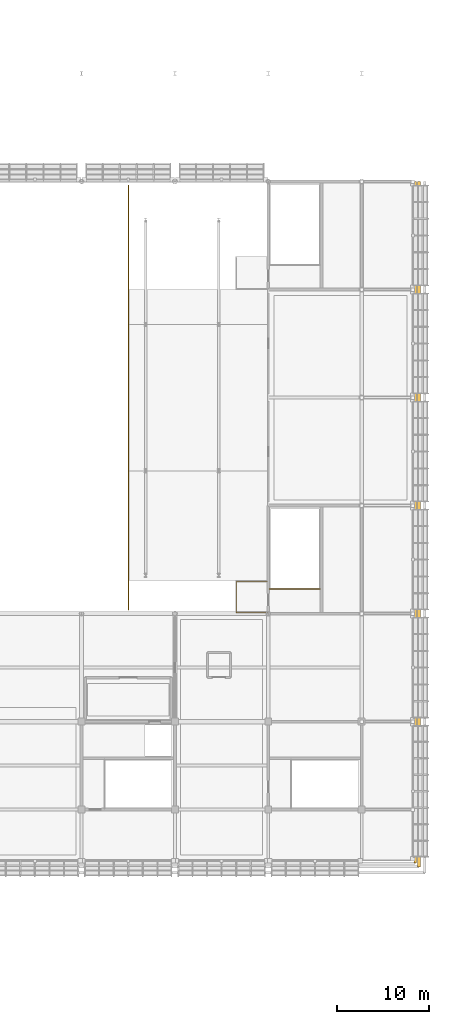
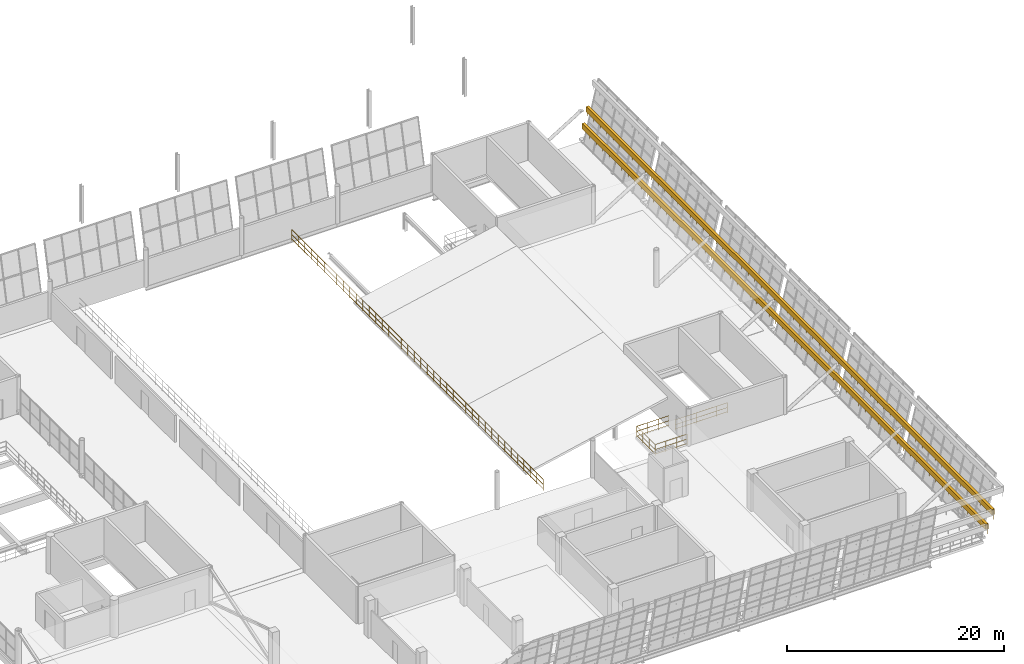
# One storey, part 154 of 157: 5 railings.
"""IFC4 building model written with IfcOpenShell, lengths in metres."""

from ifc_helpers import new_model, si_unit, direction, frame, origin, origin_2d, place, context, subcontext, project, spatial, rectangle, circle, extrude, material, type_object, element, save


model = new_model("IFC4")

# Units and contexts
model_context = context("Model", 3, precision=1e-05, world=origin(), true_north=direction((0.0, 1.0)))
body_context = subcontext(model_context, "Body", "Model", "MODEL_VIEW")
ifc_project = project(units=[si_unit("LENGTHUNIT", "METRE"), si_unit("AREAUNIT", "SQUARE_METRE"), si_unit("VOLUMEUNIT", "CUBIC_METRE"), si_unit("PLANEANGLEUNIT", "RADIAN"), si_unit("MASSUNIT", "GRAM", prefix="KILO")], contexts=[model_context])

# Site, building, storey
site_placement = place(None, origin())
site = spatial("IfcSite", under=ifc_project, at=site_placement, CompositionType="ELEMENT")
building_placement = place(site_placement, origin())
building = spatial("IfcBuilding", under=site, at=building_placement, Name="Brelvane Convention Centre", CompositionType="ELEMENT")
storey_placement = place(building_placement, frame((0.0, 0.0, 10.800048828125)))
storey = spatial("IfcBuildingStorey", under=building, at=storey_placement, Name="L02", CompositionType="ELEMENT", Elevation=10.800048828125)

# Railings
ifc_material_1 = material(Name="Steel E350 (350 MPa)", Category="steel")
railing_type_1 = type_object("IfcRailingType", Name="Railing BL-ATR-2", PredefinedType="BALUSTRADE", material=ifc_material_1)
railing_1_placement = place(storey_placement, frame((214.10009765625, 44.10009765625, 0.0)))
element("IfcRailing", 1, at=railing_1_placement, inside=storey, type_object=railing_type_1, Name="Railing BL-ATR-2 L02-plen_vom2_s_guard", PredefinedType="BALUSTRADE", context=body_context, shape_type="SweptSolid", body=[
    extrude(circle(Radius=0.02392578125, at=origin_2d()), frame((0.0, 0.0, 1.19580078125), z_axis=(-1.0, 0.0, 0.0), x_axis=(0.0, -1.0, 0.0)), (0.0, 0.0, 1.0), 3.400146484375),
    extrude(circle(Radius=0.02392578125, at=origin_2d()), frame((0.0, 0.0, 0.63427734375), z_axis=(-1.0, 0.0, 0.0), x_axis=(0.0, -1.0, 0.0)), (0.0, 0.0, 1.0), 3.400146484375),
    extrude(circle(Radius=0.02392578125, at=origin_2d()), frame((0.0, 0.0, 0.139892578125), z_axis=(-1.0, 0.0, 0.0), x_axis=(0.0, -1.0, 0.0)), (0.0, 0.0, 1.0), 3.400146484375),
    extrude(circle(Radius=0.02392578125, at=origin_2d()), frame((-3.400146484375, 0.0, 1.19580078125), z_axis=(0.0, -1.0, 0.0), x_axis=(1.0, 0.0, 0.0)), (0.0, 0.0, 1.0), 3.400146484375),
    extrude(circle(Radius=0.02392578125, at=origin_2d()), frame((-3.400146484375, 0.0, 0.63427734375), z_axis=(0.0, -1.0, 0.0), x_axis=(1.0, 0.0, 0.0)), (0.0, 0.0, 1.0), 3.400146484375),
    extrude(circle(Radius=0.02392578125, at=origin_2d()), frame((-3.400146484375, 0.0, 0.139892578125), z_axis=(0.0, -1.0, 0.0), x_axis=(1.0, 0.0, 0.0)), (0.0, 0.0, 1.0), 3.400146484375),
    extrude(circle(Radius=0.02392578125, at=origin_2d()), frame((-3.400146484375, -3.400146484375, 1.19580078125), z_axis=(1.0, 0.0, 0.0), x_axis=(0.0, 1.0, 0.0)), (0.0, 0.0, 1.0), 3.400146484375),
    extrude(circle(Radius=0.02392578125, at=origin_2d()), frame((-3.400146484375, -3.400146484375, 0.63427734375), z_axis=(1.0, 0.0, 0.0), x_axis=(0.0, 1.0, 0.0)), (0.0, 0.0, 1.0), 3.400146484375),
    extrude(circle(Radius=0.02392578125, at=origin_2d()), frame((-3.400146484375, -3.400146484375, 0.139892578125), z_axis=(1.0, 0.0, 0.0), x_axis=(0.0, 1.0, 0.0)), (0.0, 0.0, 1.0), 3.400146484375),
    extrude(circle(Radius=0.02099609375, at=origin_2d()), origin(), (0.0, 0.0, 1.0), 1.171875),
    extrude(circle(Radius=0.02099609375, at=origin_2d()), frame((-1.13330078125, 0.0, 0.0)), (0.0, 0.0, 1.0), 1.171875),
    extrude(circle(Radius=0.02099609375, at=origin_2d()), frame((-2.266845703125, 0.0, 0.0)), (0.0, 0.0, 1.0), 1.171875),
    extrude(circle(Radius=0.02099609375, at=origin_2d()), frame((-3.400146484375, 0.0, 0.0)), (0.0, 0.0, 1.0), 1.171875),
    extrude(circle(Radius=0.02099609375, at=origin_2d()), frame((-3.400146484375, -1.13330078125, 0.0)), (0.0, 0.0, 1.0), 1.171875),
    extrude(circle(Radius=0.02099609375, at=origin_2d()), frame((-3.400146484375, -2.266845703125, 0.0)), (0.0, 0.0, 1.0), 1.171875),
    extrude(circle(Radius=0.02099609375, at=origin_2d()), frame((-3.400146484375, -3.400146484375, 0.0)), (0.0, 0.0, 1.0), 1.171875),
    extrude(circle(Radius=0.02099609375, at=origin_2d()), frame((-2.266845703125, -3.400146484375, 0.0)), (0.0, 0.0, 1.0), 1.171875),
    extrude(circle(Radius=0.02099609375, at=origin_2d()), frame((-1.13330078125, -3.400146484375, 0.0)), (0.0, 0.0, 1.0), 1.171875),
    extrude(circle(Radius=0.02099609375, at=origin_2d()), frame((0.0, -3.400146484375, 0.0)), (0.0, 0.0, 1.0), 1.171875),
])
railing_2_placement = place(storey_placement, frame((198.949951171875, 41.0, 0.0)))
element("IfcRailing", 2, at=railing_2_placement, inside=storey, type_object=railing_type_1, Name="Railing BL-ATR-2 L02-plen_balc_front", PredefinedType="BALUSTRADE", context=body_context, shape_type="SweptSolid", body=[
    extrude(circle(Radius=0.02392578125, at=origin_2d()), frame((0.0, 0.0, 1.19580078125), z_axis=(0.0, 1.0, 0.0), x_axis=(-1.0, 0.0, 0.0)), (0.0, 0.0, 1.0), 46.39990234375),
    extrude(circle(Radius=0.02392578125, at=origin_2d()), frame((0.0, 0.0, 0.63427734375), z_axis=(0.0, 1.0, 0.0), x_axis=(-1.0, 0.0, 0.0)), (0.0, 0.0, 1.0), 46.39990234375),
    extrude(circle(Radius=0.02392578125, at=origin_2d()), frame((0.0, 0.0, 0.139892578125), z_axis=(0.0, 1.0, 0.0), x_axis=(-1.0, 0.0, 0.0)), (0.0, 0.0, 1.0), 46.39990234375),
    extrude(circle(Radius=0.02099609375, at=origin_2d()), origin(), (0.0, 0.0, 1.0), 1.171875),
    extrude(circle(Radius=0.02099609375, at=origin_2d()), frame((0.0, 1.189697265625, 0.0)), (0.0, 0.0, 1.0), 1.171875),
    extrude(circle(Radius=0.02099609375, at=origin_2d()), frame((0.0, 2.37939453125, 0.0)), (0.0, 0.0, 1.0), 1.171875),
    extrude(circle(Radius=0.02099609375, at=origin_2d()), frame((0.0, 3.5693359375, 0.0)), (0.0, 0.0, 1.0), 1.171875),
    extrude(circle(Radius=0.02099609375, at=origin_2d()), frame((0.0, 4.759033203125, 0.0)), (0.0, 0.0, 1.0), 1.171875),
    extrude(circle(Radius=0.02099609375, at=origin_2d()), frame((0.0, 5.94873046875, 0.0)), (0.0, 0.0, 1.0), 1.171875),
    extrude(circle(Radius=0.02099609375, at=origin_2d()), frame((0.0, 7.138427734375, 0.0)), (0.0, 0.0, 1.0), 1.171875),
    extrude(circle(Radius=0.02099609375, at=origin_2d()), frame((0.0, 8.328125, 0.0)), (0.0, 0.0, 1.0), 1.171875),
    extrude(circle(Radius=0.02099609375, at=origin_2d()), frame((0.0, 9.517822265625, 0.0)), (0.0, 0.0, 1.0), 1.171875),
    extrude(circle(Radius=0.02099609375, at=origin_2d()), frame((0.0, 10.707763671875, 0.0)), (0.0, 0.0, 1.0), 1.171875),
    extrude(circle(Radius=0.02099609375, at=origin_2d()), frame((0.0, 11.8974609375, 0.0)), (0.0, 0.0, 1.0), 1.171875),
    extrude(circle(Radius=0.02099609375, at=origin_2d()), frame((0.0, 13.087158203125, 0.0)), (0.0, 0.0, 1.0), 1.171875),
    extrude(circle(Radius=0.02099609375, at=origin_2d()), frame((0.0, 14.27685546875, 0.0)), (0.0, 0.0, 1.0), 1.171875),
    extrude(circle(Radius=0.02099609375, at=origin_2d()), frame((0.0, 15.466552734375, 0.0)), (0.0, 0.0, 1.0), 1.171875),
    extrude(circle(Radius=0.02099609375, at=origin_2d()), frame((0.0, 16.656494140625, 0.0)), (0.0, 0.0, 1.0), 1.171875),
    extrude(circle(Radius=0.02099609375, at=origin_2d()), frame((0.0, 17.84619140625, 0.0)), (0.0, 0.0, 1.0), 1.171875),
    extrude(circle(Radius=0.02099609375, at=origin_2d()), frame((0.0, 19.035888671875, 0.0)), (0.0, 0.0, 1.0), 1.171875),
    extrude(circle(Radius=0.02099609375, at=origin_2d()), frame((0.0, 20.2255859375, 0.0)), (0.0, 0.0, 1.0), 1.171875),
    extrude(circle(Radius=0.02099609375, at=origin_2d()), frame((0.0, 21.415283203125, 0.0)), (0.0, 0.0, 1.0), 1.171875),
    extrude(circle(Radius=0.02099609375, at=origin_2d()), frame((0.0, 22.60498046875, 0.0)), (0.0, 0.0, 1.0), 1.171875),
    extrude(circle(Radius=0.02099609375, at=origin_2d()), frame((0.0, 23.794921875, 0.0)), (0.0, 0.0, 1.0), 1.171875),
    extrude(circle(Radius=0.02099609375, at=origin_2d()), frame((0.0, 24.984619140625, 0.0)), (0.0, 0.0, 1.0), 1.171875),
    extrude(circle(Radius=0.02099609375, at=origin_2d()), frame((0.0, 26.17431640625, 0.0)), (0.0, 0.0, 1.0), 1.171875),
    extrude(circle(Radius=0.02099609375, at=origin_2d()), frame((0.0, 27.364013671875, 0.0)), (0.0, 0.0, 1.0), 1.171875),
    extrude(circle(Radius=0.02099609375, at=origin_2d()), frame((0.0, 28.5537109375, 0.0)), (0.0, 0.0, 1.0), 1.171875),
    extrude(circle(Radius=0.02099609375, at=origin_2d()), frame((0.0, 29.743408203125, 0.0)), (0.0, 0.0, 1.0), 1.171875),
    extrude(circle(Radius=0.02099609375, at=origin_2d()), frame((0.0, 30.933349609375, 0.0)), (0.0, 0.0, 1.0), 1.171875),
    extrude(circle(Radius=0.02099609375, at=origin_2d()), frame((0.0, 32.123046875, 0.0)), (0.0, 0.0, 1.0), 1.171875),
    extrude(circle(Radius=0.02099609375, at=origin_2d()), frame((0.0, 33.312744140625, 0.0)), (0.0, 0.0, 1.0), 1.171875),
    extrude(circle(Radius=0.02099609375, at=origin_2d()), frame((0.0, 34.50244140625, 0.0)), (0.0, 0.0, 1.0), 1.171875),
    extrude(circle(Radius=0.02099609375, at=origin_2d()), frame((0.0, 35.692138671875, 0.0)), (0.0, 0.0, 1.0), 1.171875),
    extrude(circle(Radius=0.02099609375, at=origin_2d()), frame((0.0, 36.882080078125, 0.0)), (0.0, 0.0, 1.0), 1.171875),
    extrude(circle(Radius=0.02099609375, at=origin_2d()), frame((0.0, 38.07177734375, 0.0)), (0.0, 0.0, 1.0), 1.171875),
    extrude(circle(Radius=0.02099609375, at=origin_2d()), frame((0.0, 39.261474609375, 0.0)), (0.0, 0.0, 1.0), 1.171875),
    extrude(circle(Radius=0.02099609375, at=origin_2d()), frame((0.0, 40.451171875, 0.0)), (0.0, 0.0, 1.0), 1.171875),
    extrude(circle(Radius=0.02099609375, at=origin_2d()), frame((0.0, 41.640869140625, 0.0)), (0.0, 0.0, 1.0), 1.171875),
    extrude(circle(Radius=0.02099609375, at=origin_2d()), frame((0.0, 42.83056640625, 0.0)), (0.0, 0.0, 1.0), 1.171875),
    extrude(circle(Radius=0.02099609375, at=origin_2d()), frame((0.0, 44.0205078125, 0.0)), (0.0, 0.0, 1.0), 1.171875),
    extrude(circle(Radius=0.02099609375, at=origin_2d()), frame((0.0, 45.210205078125, 0.0)), (0.0, 0.0, 1.0), 1.171875),
    extrude(circle(Radius=0.02099609375, at=origin_2d()), frame((0.0, 46.39990234375, 0.0)), (0.0, 0.0, 1.0), 1.171875),
])
ifc_material_2 = material(Name="Steel E350 (350 MPa)", Category="steel")
railing_type_2 = type_object("IfcRailingType", Name="Railing BL-CU-1", PredefinedType="BALUSTRADE", material=ifc_material_2)
railing_3_placement = place(storey_placement, frame((230.2509765625, 13.34912109375, 0.89990234375)))
element("IfcRailing", 3, at=railing_3_placement, inside=storey, type_object=railing_type_2, Name="Railing BL-CU-1 L02-cu_hull_e_4", PredefinedType="BALUSTRADE", context=body_context, shape_type="SweptSolid", body=[
    extrude(rectangle(XDim=0.280029296875, YDim=0.6201171875, at=origin_2d()), frame((0.0, 0.0, 0.81005859375), z_axis=(0.0, 1.0, 0.0), x_axis=(-1.0, 0.0, 0.0)), (0.0, 0.0, 1.0), 74.450927734375),
    extrude(circle(Radius=0.02099609375, at=origin_2d()), origin(), (0.0, 0.0, 1.0), 1.072021484375),
    extrude(circle(Radius=0.02099609375, at=origin_2d()), frame((0.0, 1.181640625, 0.0)), (0.0, 0.0, 1.0), 1.072021484375),
    extrude(circle(Radius=0.02099609375, at=origin_2d()), frame((0.0, 2.363525390625, 0.0)), (0.0, 0.0, 1.0), 1.072021484375),
    extrude(circle(Radius=0.02099609375, at=origin_2d()), frame((0.0, 3.545166015625, 0.0)), (0.0, 0.0, 1.0), 1.072021484375),
    extrude(circle(Radius=0.02099609375, at=origin_2d()), frame((0.0, 4.72705078125, 0.0)), (0.0, 0.0, 1.0), 1.072021484375),
    extrude(circle(Radius=0.02099609375, at=origin_2d()), frame((0.0, 5.90869140625, 0.0)), (0.0, 0.0, 1.0), 1.072021484375),
    extrude(circle(Radius=0.02099609375, at=origin_2d()), frame((0.0, 7.090576171875, 0.0)), (0.0, 0.0, 1.0), 1.072021484375),
    extrude(circle(Radius=0.02099609375, at=origin_2d()), frame((0.0, 8.272216796875, 0.0)), (0.0, 0.0, 1.0), 1.072021484375),
    extrude(circle(Radius=0.02099609375, at=origin_2d()), frame((0.0, 9.4541015625, 0.0)), (0.0, 0.0, 1.0), 1.072021484375),
    extrude(circle(Radius=0.02099609375, at=origin_2d()), frame((0.0, 10.6357421875, 0.0)), (0.0, 0.0, 1.0), 1.072021484375),
    extrude(circle(Radius=0.02099609375, at=origin_2d()), frame((0.0, 11.817626953125, 0.0)), (0.0, 0.0, 1.0), 1.072021484375),
    extrude(circle(Radius=0.02099609375, at=origin_2d()), frame((0.0, 12.999267578125, 0.0)), (0.0, 0.0, 1.0), 1.072021484375),
    extrude(circle(Radius=0.02099609375, at=origin_2d()), frame((0.0, 14.18115234375, 0.0)), (0.0, 0.0, 1.0), 1.072021484375),
    extrude(circle(Radius=0.02099609375, at=origin_2d()), frame((0.0, 15.36279296875, 0.0)), (0.0, 0.0, 1.0), 1.072021484375),
    extrude(circle(Radius=0.02099609375, at=origin_2d()), frame((0.0, 16.544677734375, 0.0)), (0.0, 0.0, 1.0), 1.072021484375),
    extrude(circle(Radius=0.02099609375, at=origin_2d()), frame((0.0, 17.726318359375, 0.0)), (0.0, 0.0, 1.0), 1.072021484375),
    extrude(circle(Radius=0.02099609375, at=origin_2d()), frame((0.0, 18.908203125, 0.0)), (0.0, 0.0, 1.0), 1.072021484375),
    extrude(circle(Radius=0.02099609375, at=origin_2d()), frame((0.0, 20.08984375, 0.0)), (0.0, 0.0, 1.0), 1.072021484375),
    extrude(circle(Radius=0.02099609375, at=origin_2d()), frame((0.0, 21.271728515625, 0.0)), (0.0, 0.0, 1.0), 1.072021484375),
    extrude(circle(Radius=0.02099609375, at=origin_2d()), frame((0.0, 22.453369140625, 0.0)), (0.0, 0.0, 1.0), 1.072021484375),
    extrude(circle(Radius=0.02099609375, at=origin_2d()), frame((0.0, 23.63525390625, 0.0)), (0.0, 0.0, 1.0), 1.072021484375),
    extrude(circle(Radius=0.02099609375, at=origin_2d()), frame((0.0, 24.81689453125, 0.0)), (0.0, 0.0, 1.0), 1.072021484375),
    extrude(circle(Radius=0.02099609375, at=origin_2d()), frame((0.0, 25.998779296875, 0.0)), (0.0, 0.0, 1.0), 1.072021484375),
    extrude(circle(Radius=0.02099609375, at=origin_2d()), frame((0.0, 27.180419921875, 0.0)), (0.0, 0.0, 1.0), 1.072021484375),
    extrude(circle(Radius=0.02099609375, at=origin_2d()), frame((0.0, 28.3623046875, 0.0)), (0.0, 0.0, 1.0), 1.072021484375),
    extrude(circle(Radius=0.02099609375, at=origin_2d()), frame((0.0, 29.5439453125, 0.0)), (0.0, 0.0, 1.0), 1.072021484375),
    extrude(circle(Radius=0.02099609375, at=origin_2d()), frame((0.0, 30.725830078125, 0.0)), (0.0, 0.0, 1.0), 1.072021484375),
    extrude(circle(Radius=0.02099609375, at=origin_2d()), frame((0.0, 31.907470703125, 0.0)), (0.0, 0.0, 1.0), 1.072021484375),
    extrude(circle(Radius=0.02099609375, at=origin_2d()), frame((0.0, 33.08935546875, 0.0)), (0.0, 0.0, 1.0), 1.072021484375),
    extrude(circle(Radius=0.02099609375, at=origin_2d()), frame((0.0, 34.27099609375, 0.0)), (0.0, 0.0, 1.0), 1.072021484375),
    extrude(circle(Radius=0.02099609375, at=origin_2d()), frame((0.0, 35.452880859375, 0.0)), (0.0, 0.0, 1.0), 1.072021484375),
    extrude(circle(Radius=0.02099609375, at=origin_2d()), frame((0.0, 36.634521484375, 0.0)), (0.0, 0.0, 1.0), 1.072021484375),
    extrude(circle(Radius=0.02099609375, at=origin_2d()), frame((0.0, 37.81640625, 0.0)), (0.0, 0.0, 1.0), 1.072021484375),
    extrude(circle(Radius=0.02099609375, at=origin_2d()), frame((0.0, 38.998046875, 0.0)), (0.0, 0.0, 1.0), 1.072021484375),
    extrude(circle(Radius=0.02099609375, at=origin_2d()), frame((0.0, 40.179931640625, 0.0)), (0.0, 0.0, 1.0), 1.072021484375),
    extrude(circle(Radius=0.02099609375, at=origin_2d()), frame((0.0, 41.361572265625, 0.0)), (0.0, 0.0, 1.0), 1.072021484375),
    extrude(circle(Radius=0.02099609375, at=origin_2d()), frame((0.0, 42.54345703125, 0.0)), (0.0, 0.0, 1.0), 1.072021484375),
    extrude(circle(Radius=0.02099609375, at=origin_2d()), frame((0.0, 43.72509765625, 0.0)), (0.0, 0.0, 1.0), 1.072021484375),
    extrude(circle(Radius=0.02099609375, at=origin_2d()), frame((0.0, 44.906982421875, 0.0)), (0.0, 0.0, 1.0), 1.072021484375),
    extrude(circle(Radius=0.02099609375, at=origin_2d()), frame((0.0, 46.088623046875, 0.0)), (0.0, 0.0, 1.0), 1.072021484375),
    extrude(circle(Radius=0.02099609375, at=origin_2d()), frame((0.0, 47.2705078125, 0.0)), (0.0, 0.0, 1.0), 1.072021484375),
    extrude(circle(Radius=0.02099609375, at=origin_2d()), frame((0.0, 48.4521484375, 0.0)), (0.0, 0.0, 1.0), 1.072021484375),
    extrude(circle(Radius=0.02099609375, at=origin_2d()), frame((0.0, 49.634033203125, 0.0)), (0.0, 0.0, 1.0), 1.072021484375),
    extrude(circle(Radius=0.02099609375, at=origin_2d()), frame((0.0, 50.815673828125, 0.0)), (0.0, 0.0, 1.0), 1.072021484375),
    extrude(circle(Radius=0.02099609375, at=origin_2d()), frame((0.0, 51.99755859375, 0.0)), (0.0, 0.0, 1.0), 1.072021484375),
    extrude(circle(Radius=0.02099609375, at=origin_2d()), frame((0.0, 53.17919921875, 0.0)), (0.0, 0.0, 1.0), 1.072021484375),
    extrude(circle(Radius=0.02099609375, at=origin_2d()), frame((0.0, 54.361083984375, 0.0)), (0.0, 0.0, 1.0), 1.072021484375),
    extrude(circle(Radius=0.02099609375, at=origin_2d()), frame((0.0, 55.542724609375, 0.0)), (0.0, 0.0, 1.0), 1.072021484375),
    extrude(circle(Radius=0.02099609375, at=origin_2d()), frame((0.0, 56.724609375, 0.0)), (0.0, 0.0, 1.0), 1.072021484375),
    extrude(circle(Radius=0.02099609375, at=origin_2d()), frame((0.0, 57.90625, 0.0)), (0.0, 0.0, 1.0), 1.072021484375),
    extrude(circle(Radius=0.02099609375, at=origin_2d()), frame((0.0, 59.088134765625, 0.0)), (0.0, 0.0, 1.0), 1.072021484375),
    extrude(circle(Radius=0.02099609375, at=origin_2d()), frame((0.0, 60.269775390625, 0.0)), (0.0, 0.0, 1.0), 1.072021484375),
    extrude(circle(Radius=0.02099609375, at=origin_2d()), frame((0.0, 61.45166015625, 0.0)), (0.0, 0.0, 1.0), 1.072021484375),
    extrude(circle(Radius=0.02099609375, at=origin_2d()), frame((0.0, 62.63330078125, 0.0)), (0.0, 0.0, 1.0), 1.072021484375),
    extrude(circle(Radius=0.02099609375, at=origin_2d()), frame((0.0, 63.815185546875, 0.0)), (0.0, 0.0, 1.0), 1.072021484375),
    extrude(circle(Radius=0.02099609375, at=origin_2d()), frame((0.0, 64.996826171875, 0.0)), (0.0, 0.0, 1.0), 1.072021484375),
    extrude(circle(Radius=0.02099609375, at=origin_2d()), frame((0.0, 66.1787109375, 0.0)), (0.0, 0.0, 1.0), 1.072021484375),
    extrude(circle(Radius=0.02099609375, at=origin_2d()), frame((0.0, 67.3603515625, 0.0)), (0.0, 0.0, 1.0), 1.072021484375),
    extrude(circle(Radius=0.02099609375, at=origin_2d()), frame((0.0, 68.542236328125, 0.0)), (0.0, 0.0, 1.0), 1.072021484375),
    extrude(circle(Radius=0.02099609375, at=origin_2d()), frame((0.0, 69.723876953125, 0.0)), (0.0, 0.0, 1.0), 1.072021484375),
    extrude(circle(Radius=0.02099609375, at=origin_2d()), frame((0.0, 70.90576171875, 0.0)), (0.0, 0.0, 1.0), 1.072021484375),
    extrude(circle(Radius=0.02099609375, at=origin_2d()), frame((0.0, 72.08740234375, 0.0)), (0.0, 0.0, 1.0), 1.072021484375),
    extrude(circle(Radius=0.02099609375, at=origin_2d()), frame((0.0, 73.269287109375, 0.0)), (0.0, 0.0, 1.0), 1.072021484375),
    extrude(circle(Radius=0.02099609375, at=origin_2d()), frame((0.0, 74.450927734375, 0.0)), (0.0, 0.0, 1.0), 1.072021484375),
])
railing_4_placement = place(storey_placement, frame((230.662109375, 12.93798828125, 2.64990234375)))
element("IfcRailing", 4, at=railing_4_placement, inside=storey, type_object=railing_type_2, Name="Railing BL-CU-1 L02-cu_hull_e_5", PredefinedType="BALUSTRADE", context=body_context, shape_type="SweptSolid", body=[
    extrude(rectangle(XDim=0.280029296875, YDim=0.6201171875, at=origin_2d()), frame((0.0, 0.0, 0.81005859375), z_axis=(0.0, 1.0, 0.0), x_axis=(-1.0, 0.0, 0.0)), (0.0, 0.0, 1.0), 74.862060546875),
    extrude(circle(Radius=0.02099609375, at=origin_2d()), origin(), (0.0, 0.0, 1.0), 1.072021484375),
    extrude(circle(Radius=0.02099609375, at=origin_2d()), frame((0.0, 1.188232421875, 0.0)), (0.0, 0.0, 1.0), 1.072021484375),
    extrude(circle(Radius=0.02099609375, at=origin_2d()), frame((0.0, 2.37646484375, 0.0)), (0.0, 0.0, 1.0), 1.072021484375),
    extrude(circle(Radius=0.02099609375, at=origin_2d()), frame((0.0, 3.56494140625, 0.0)), (0.0, 0.0, 1.0), 1.072021484375),
    extrude(circle(Radius=0.02099609375, at=origin_2d()), frame((0.0, 4.753173828125, 0.0)), (0.0, 0.0, 1.0), 1.072021484375),
    extrude(circle(Radius=0.02099609375, at=origin_2d()), frame((0.0, 5.94140625, 0.0)), (0.0, 0.0, 1.0), 1.072021484375),
    extrude(circle(Radius=0.02099609375, at=origin_2d()), frame((0.0, 7.129638671875, 0.0)), (0.0, 0.0, 1.0), 1.072021484375),
    extrude(circle(Radius=0.02099609375, at=origin_2d()), frame((0.0, 8.318115234375, 0.0)), (0.0, 0.0, 1.0), 1.072021484375),
    extrude(circle(Radius=0.02099609375, at=origin_2d()), frame((0.0, 9.50634765625, 0.0)), (0.0, 0.0, 1.0), 1.072021484375),
    extrude(circle(Radius=0.02099609375, at=origin_2d()), frame((0.0, 10.694580078125, 0.0)), (0.0, 0.0, 1.0), 1.072021484375),
    extrude(circle(Radius=0.02099609375, at=origin_2d()), frame((0.0, 11.8828125, 0.0)), (0.0, 0.0, 1.0), 1.072021484375),
    extrude(circle(Radius=0.02099609375, at=origin_2d()), frame((0.0, 13.071044921875, 0.0)), (0.0, 0.0, 1.0), 1.072021484375),
    extrude(circle(Radius=0.02099609375, at=origin_2d()), frame((0.0, 14.259521484375, 0.0)), (0.0, 0.0, 1.0), 1.072021484375),
    extrude(circle(Radius=0.02099609375, at=origin_2d()), frame((0.0, 15.44775390625, 0.0)), (0.0, 0.0, 1.0), 1.072021484375),
    extrude(circle(Radius=0.02099609375, at=origin_2d()), frame((0.0, 16.635986328125, 0.0)), (0.0, 0.0, 1.0), 1.072021484375),
    extrude(circle(Radius=0.02099609375, at=origin_2d()), frame((0.0, 17.82421875, 0.0)), (0.0, 0.0, 1.0), 1.072021484375),
    extrude(circle(Radius=0.02099609375, at=origin_2d()), frame((0.0, 19.0126953125, 0.0)), (0.0, 0.0, 1.0), 1.072021484375),
    extrude(circle(Radius=0.02099609375, at=origin_2d()), frame((0.0, 20.200927734375, 0.0)), (0.0, 0.0, 1.0), 1.072021484375),
    extrude(circle(Radius=0.02099609375, at=origin_2d()), frame((0.0, 21.38916015625, 0.0)), (0.0, 0.0, 1.0), 1.072021484375),
    extrude(circle(Radius=0.02099609375, at=origin_2d()), frame((0.0, 22.577392578125, 0.0)), (0.0, 0.0, 1.0), 1.072021484375),
    extrude(circle(Radius=0.02099609375, at=origin_2d()), frame((0.0, 23.765625, 0.0)), (0.0, 0.0, 1.0), 1.072021484375),
    extrude(circle(Radius=0.02099609375, at=origin_2d()), frame((0.0, 24.9541015625, 0.0)), (0.0, 0.0, 1.0), 1.072021484375),
    extrude(circle(Radius=0.02099609375, at=origin_2d()), frame((0.0, 26.142333984375, 0.0)), (0.0, 0.0, 1.0), 1.072021484375),
    extrude(circle(Radius=0.02099609375, at=origin_2d()), frame((0.0, 27.33056640625, 0.0)), (0.0, 0.0, 1.0), 1.072021484375),
    extrude(circle(Radius=0.02099609375, at=origin_2d()), frame((0.0, 28.518798828125, 0.0)), (0.0, 0.0, 1.0), 1.072021484375),
    extrude(circle(Radius=0.02099609375, at=origin_2d()), frame((0.0, 29.707275390625, 0.0)), (0.0, 0.0, 1.0), 1.072021484375),
    extrude(circle(Radius=0.02099609375, at=origin_2d()), frame((0.0, 30.8955078125, 0.0)), (0.0, 0.0, 1.0), 1.072021484375),
    extrude(circle(Radius=0.02099609375, at=origin_2d()), frame((0.0, 32.083740234375, 0.0)), (0.0, 0.0, 1.0), 1.072021484375),
    extrude(circle(Radius=0.02099609375, at=origin_2d()), frame((0.0, 33.27197265625, 0.0)), (0.0, 0.0, 1.0), 1.072021484375),
    extrude(circle(Radius=0.02099609375, at=origin_2d()), frame((0.0, 34.460205078125, 0.0)), (0.0, 0.0, 1.0), 1.072021484375),
    extrude(circle(Radius=0.02099609375, at=origin_2d()), frame((0.0, 35.648681640625, 0.0)), (0.0, 0.0, 1.0), 1.072021484375),
    extrude(circle(Radius=0.02099609375, at=origin_2d()), frame((0.0, 36.8369140625, 0.0)), (0.0, 0.0, 1.0), 1.072021484375),
    extrude(circle(Radius=0.02099609375, at=origin_2d()), frame((0.0, 38.025146484375, 0.0)), (0.0, 0.0, 1.0), 1.072021484375),
    extrude(circle(Radius=0.02099609375, at=origin_2d()), frame((0.0, 39.21337890625, 0.0)), (0.0, 0.0, 1.0), 1.072021484375),
    extrude(circle(Radius=0.02099609375, at=origin_2d()), frame((0.0, 40.40185546875, 0.0)), (0.0, 0.0, 1.0), 1.072021484375),
    extrude(circle(Radius=0.02099609375, at=origin_2d()), frame((0.0, 41.590087890625, 0.0)), (0.0, 0.0, 1.0), 1.072021484375),
    extrude(circle(Radius=0.02099609375, at=origin_2d()), frame((0.0, 42.7783203125, 0.0)), (0.0, 0.0, 1.0), 1.072021484375),
    extrude(circle(Radius=0.02099609375, at=origin_2d()), frame((0.0, 43.966552734375, 0.0)), (0.0, 0.0, 1.0), 1.072021484375),
    extrude(circle(Radius=0.02099609375, at=origin_2d()), frame((0.0, 45.15478515625, 0.0)), (0.0, 0.0, 1.0), 1.072021484375),
    extrude(circle(Radius=0.02099609375, at=origin_2d()), frame((0.0, 46.34326171875, 0.0)), (0.0, 0.0, 1.0), 1.072021484375),
    extrude(circle(Radius=0.02099609375, at=origin_2d()), frame((0.0, 47.531494140625, 0.0)), (0.0, 0.0, 1.0), 1.072021484375),
    extrude(circle(Radius=0.02099609375, at=origin_2d()), frame((0.0, 48.7197265625, 0.0)), (0.0, 0.0, 1.0), 1.072021484375),
    extrude(circle(Radius=0.02099609375, at=origin_2d()), frame((0.0, 49.907958984375, 0.0)), (0.0, 0.0, 1.0), 1.072021484375),
    extrude(circle(Radius=0.02099609375, at=origin_2d()), frame((0.0, 51.096435546875, 0.0)), (0.0, 0.0, 1.0), 1.072021484375),
    extrude(circle(Radius=0.02099609375, at=origin_2d()), frame((0.0, 52.28466796875, 0.0)), (0.0, 0.0, 1.0), 1.072021484375),
    extrude(circle(Radius=0.02099609375, at=origin_2d()), frame((0.0, 53.472900390625, 0.0)), (0.0, 0.0, 1.0), 1.072021484375),
    extrude(circle(Radius=0.02099609375, at=origin_2d()), frame((0.0, 54.6611328125, 0.0)), (0.0, 0.0, 1.0), 1.072021484375),
    extrude(circle(Radius=0.02099609375, at=origin_2d()), frame((0.0, 55.849365234375, 0.0)), (0.0, 0.0, 1.0), 1.072021484375),
    extrude(circle(Radius=0.02099609375, at=origin_2d()), frame((0.0, 57.037841796875, 0.0)), (0.0, 0.0, 1.0), 1.072021484375),
    extrude(circle(Radius=0.02099609375, at=origin_2d()), frame((0.0, 58.22607421875, 0.0)), (0.0, 0.0, 1.0), 1.072021484375),
    extrude(circle(Radius=0.02099609375, at=origin_2d()), frame((0.0, 59.414306640625, 0.0)), (0.0, 0.0, 1.0), 1.072021484375),
    extrude(circle(Radius=0.02099609375, at=origin_2d()), frame((0.0, 60.6025390625, 0.0)), (0.0, 0.0, 1.0), 1.072021484375),
    extrude(circle(Radius=0.02099609375, at=origin_2d()), frame((0.0, 61.791015625, 0.0)), (0.0, 0.0, 1.0), 1.072021484375),
    extrude(circle(Radius=0.02099609375, at=origin_2d()), frame((0.0, 62.979248046875, 0.0)), (0.0, 0.0, 1.0), 1.072021484375),
    extrude(circle(Radius=0.02099609375, at=origin_2d()), frame((0.0, 64.16748046875, 0.0)), (0.0, 0.0, 1.0), 1.072021484375),
    extrude(circle(Radius=0.02099609375, at=origin_2d()), frame((0.0, 65.355712890625, 0.0)), (0.0, 0.0, 1.0), 1.072021484375),
    extrude(circle(Radius=0.02099609375, at=origin_2d()), frame((0.0, 66.5439453125, 0.0)), (0.0, 0.0, 1.0), 1.072021484375),
    extrude(circle(Radius=0.02099609375, at=origin_2d()), frame((0.0, 67.732421875, 0.0)), (0.0, 0.0, 1.0), 1.072021484375),
    extrude(circle(Radius=0.02099609375, at=origin_2d()), frame((0.0, 68.920654296875, 0.0)), (0.0, 0.0, 1.0), 1.072021484375),
    extrude(circle(Radius=0.02099609375, at=origin_2d()), frame((0.0, 70.10888671875, 0.0)), (0.0, 0.0, 1.0), 1.072021484375),
    extrude(circle(Radius=0.02099609375, at=origin_2d()), frame((0.0, 71.297119140625, 0.0)), (0.0, 0.0, 1.0), 1.072021484375),
    extrude(circle(Radius=0.02099609375, at=origin_2d()), frame((0.0, 72.485595703125, 0.0)), (0.0, 0.0, 1.0), 1.072021484375),
    extrude(circle(Radius=0.02099609375, at=origin_2d()), frame((0.0, 73.673828125, 0.0)), (0.0, 0.0, 1.0), 1.072021484375),
    extrude(circle(Radius=0.02099609375, at=origin_2d()), frame((0.0, 74.862060546875, 0.0)), (0.0, 0.0, 1.0), 1.072021484375),
])
ifc_material_3 = material(Name="Steel E350 (350 MPa)", Category="steel")
railing_type_3 = type_object("IfcRailingType", Name="Stair Railing GR-ST-2", PredefinedType="GUARDRAIL", material=ifc_material_3)
railing_5_placement = place(storey_placement, frame((214.320068359375, 43.2900390625, -0.02001953125)))
element("IfcRailing", 5, at=railing_5_placement, inside=storey, type_object=railing_type_3, Name="Stair ST-15 L02 Top Well Guard", PredefinedType="GUARDRAIL", context=body_context, shape_type="SweptSolid", body=[
    extrude(circle(Radius=0.02392578125, at=origin_2d()), frame((0.0, 0.0, 1.15576171875), z_axis=(1.0, 0.0, 0.0), x_axis=(0.0, 1.0, 0.0)), (0.0, 0.0, 1.0), 5.559814453125),
    extrude(circle(Radius=0.02392578125, at=origin_2d()), frame((0.0, 0.0, 0.613525390625), z_axis=(1.0, 0.0, 0.0), x_axis=(0.0, 1.0, 0.0)), (0.0, 0.0, 1.0), 5.559814453125),
    extrude(circle(Radius=0.02392578125, at=origin_2d()), frame((0.0, 0.0, 0.139892578125), z_axis=(1.0, 0.0, 0.0), x_axis=(0.0, 1.0, 0.0)), (0.0, 0.0, 1.0), 5.559814453125),
    extrude(circle(Radius=0.02099609375, at=origin_2d()), origin(), (0.0, 0.0, 1.0), 1.1318359375),
    extrude(circle(Radius=0.02099609375, at=origin_2d()), frame((1.112060546875, 0.0, 0.0)), (0.0, 0.0, 1.0), 1.1318359375),
    extrude(circle(Radius=0.02099609375, at=origin_2d()), frame((2.223876953125, 0.0, 0.0)), (0.0, 0.0, 1.0), 1.1318359375),
    extrude(circle(Radius=0.02099609375, at=origin_2d()), frame((3.3359375, 0.0, 0.0)), (0.0, 0.0, 1.0), 1.1318359375),
    extrude(circle(Radius=0.02099609375, at=origin_2d()), frame((4.44775390625, 0.0, 0.0)), (0.0, 0.0, 1.0), 1.1318359375),
    extrude(circle(Radius=0.02099609375, at=origin_2d()), frame((5.559814453125, 0.0, 0.0)), (0.0, 0.0, 1.0), 1.1318359375),
])

save(model, "model.ifc")
